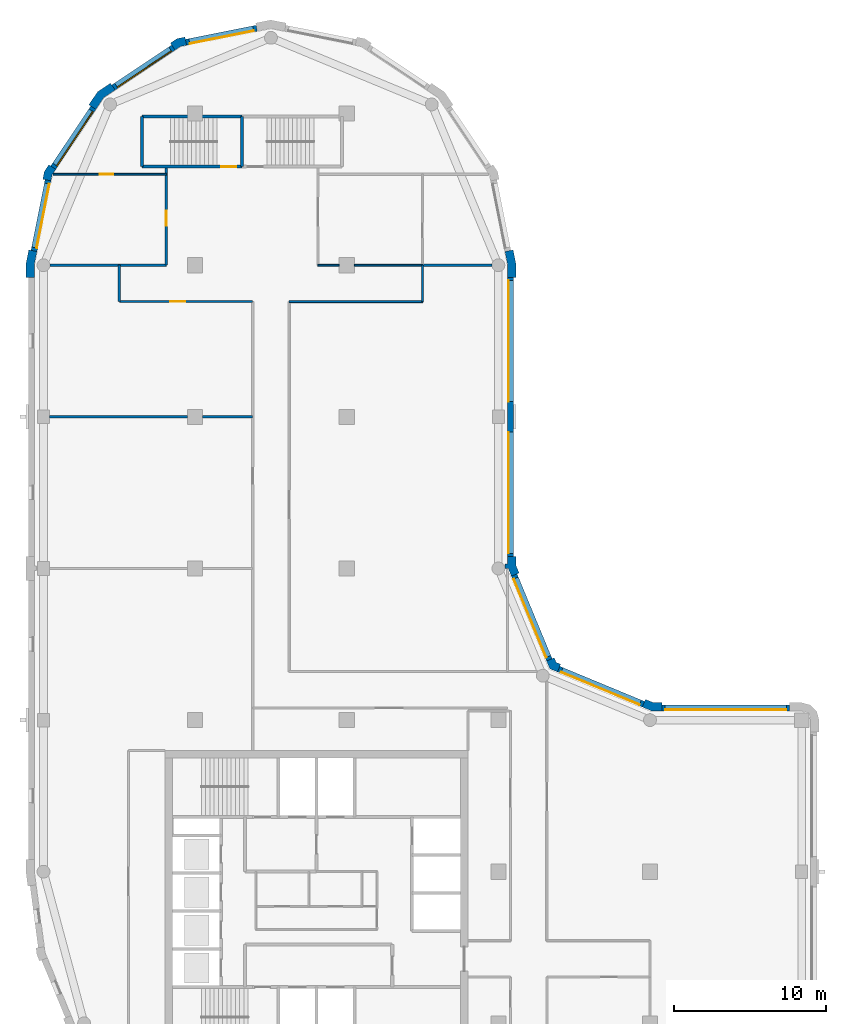
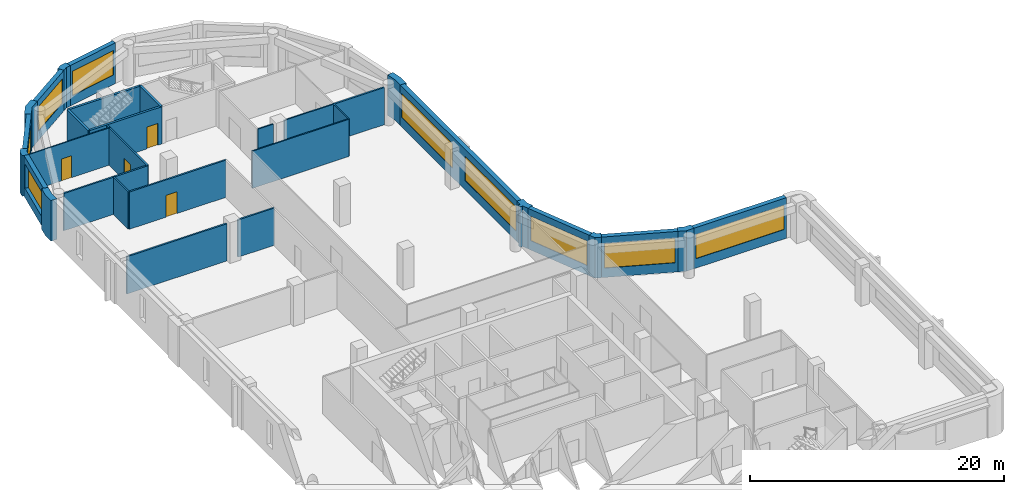
# One storey, part 5 of 9: 32 walls, 9 windows, 4 doors, 13 openings.
"""IFC4 building model written with IfcOpenShell, lengths in metres."""

from ifc_helpers import new_model, si_unit, direction, frame, frame_2d, origin, place, context, subcontext, project, spatial, polyline, rectangle, outline, extrude, material, layer, layer_set, type_object, element, fill, save


model = new_model("IFC4")

# Units and contexts
model_context = context("Model", 3, precision=1e-05, world=origin(), true_north=direction((0.0, 1.0)))
body_context = subcontext(model_context, "Body", "Model", "MODEL_VIEW")
ifc_project = project(units=[si_unit("LENGTHUNIT", "METRE"), si_unit("AREAUNIT", "SQUARE_METRE"), si_unit("VOLUMEUNIT", "CUBIC_METRE"), si_unit("PLANEANGLEUNIT", "RADIAN"), si_unit("MASSUNIT", "GRAM", prefix="KILO")], contexts=[model_context])

# Site, building, storey
site_placement = place(None, origin())
site = spatial("IfcSite", under=ifc_project, at=site_placement, CompositionType="ELEMENT")
building_placement = place(site_placement, origin())
building = spatial("IfcBuilding", under=site, at=building_placement, Name="Qaws Garden Tower", CompositionType="ELEMENT")
storey_placement = place(building_placement, frame((0.0, 0.0, 251.39990234375)))
storey = spatial("IfcBuildingStorey", under=building, at=storey_placement, Name="L60", CompositionType="ELEMENT", Elevation=251.39990234375)

# Wall, opening, window
ifc_material_1 = material(Name="Clay facing brick masonry", Category="masonry")
ifc_layer_1 = layer(ifc_material_1, 0.39990234375)
ifc_layer_set_1 = layer_set([ifc_layer_1], Name="Clay facing brick masonry")
wall_type_1 = type_object("IfcWallType", Name="Brick infill wall 400", PredefinedType="SOLIDWALL", material=ifc_layer_set_1)
wall_1_placement = place(storey_placement, frame((49.199951171875, 30.800048828125, 0.0), z_axis=(0.0, 0.0, 1.0), x_axis=(-1.0, 0.0, 0.0)))
wall_1 = element("IfcWall", 1, at=wall_1_placement, inside=storey, type_object=wall_type_1, Name="E-L60-infill-06", PredefinedType="SOLIDWALL", context=body_context, shape_type="SweptSolid", body=[
    extrude(rectangle(XDim=8.39990234375, YDim=0.39990234375, at=frame_2d((4.199951171875, 0.0))), origin(), (0.0, 0.0, 1.0), 3.900146484375),
])
opening_1_placement = place(wall_1_placement, frame((0.199951171875, 0.0, 0.89990234375)))
opening_1 = element("IfcOpeningElement", 2, at=opening_1_placement, cuts=wall_1, Name="Opening W01", PredefinedType="OPENING", context=body_context, shape_type="SweptSolid", body=[
    extrude(rectangle(XDim=8.0, YDim=2.35009765625, at=frame_2d((4.0, 1.175048828125))), frame((0.0, 0.2099609375, 0.0), z_axis=(0.0, -1.0, 0.0), x_axis=(1.0, 0.0, 0.0)), (0.0, 0.0, 1.0), 0.419921875),
])
ifc_material_2 = material(Name="Aluminium framed window, clear glazing", Category="aluminium")
window_type_1 = type_object("IfcWindowType", Name="Ribbon window 8000 x 2350", PartitioningType="DOUBLE_PANEL_VERTICAL", PredefinedType="WINDOW", material=ifc_material_2)
window_1_placement = place(opening_1_placement, origin())
window_1 = element("IfcWindow", 3, at=window_1_placement, inside=storey, type_object=window_type_1, Name="E-L60-window-06-0", OverallHeight=2.35009765625, OverallWidth=8.0, PartitioningType="SINGLE_PANEL", PredefinedType="WINDOW", context=body_context, shape_type="SweptSolid", body=[
    extrude(rectangle(XDim=8.0, YDim=2.35009765625, at=frame_2d((4.0, 1.175048828125))), frame((0.0, 0.159912109375, 0.0), z_axis=(0.0, -1.0, 0.0), x_axis=(1.0, 0.0, 0.0)), (0.0, 0.0, 1.0), 0.06005859375),
])
fill(opening_1, window_1)

wall_2_placement = place(storey_placement, frame((39.56689453125, 31.04541015625, 0.0), z_axis=(0.0, 0.0, 1.0), x_axis=(-0.923891000409, 0.382655745237, 0.0)))
wall_2 = element("IfcWall", 4, at=wall_2_placement, inside=storey, type_object=wall_type_1, Name="E-L60-infill-07", PredefinedType="SOLIDWALL", context=body_context, shape_type="SweptSolid", body=[
    extrude(rectangle(XDim=6.053466796875, YDim=0.39990234375, at=frame_2d((3.02685546875, 0.0))), origin(), (0.0, 0.0, 1.0), 3.900146484375),
])
opening_2_placement = place(wall_2_placement, frame((0.226806640625, 0.0, 0.89990234375)))
opening_2 = element("IfcOpeningElement", 5, at=opening_2_placement, cuts=wall_2, Name="Opening W04", PredefinedType="OPENING", context=body_context, shape_type="SweptSolid", body=[
    extrude(rectangle(XDim=5.60009765625, YDim=2.35009765625, at=frame_2d((2.800048828125, 1.175048828125))), frame((0.0, 0.2099609375, 0.0), z_axis=(0.0, -1.0, 0.0), x_axis=(1.0, 0.0, 0.0)), (0.0, 0.0, 1.0), 0.419921875),
])
ifc_material_3 = material(Name="Aluminium framed window, clear glazing", Category="aluminium")
window_type_2 = type_object("IfcWindowType", Name="Ribbon window 5600 x 2350", PartitioningType="DOUBLE_PANEL_VERTICAL", PredefinedType="WINDOW", material=ifc_material_3)
window_2_placement = place(opening_2_placement, origin())
window_2 = element("IfcWindow", 6, at=window_2_placement, inside=storey, type_object=window_type_2, Name="E-L60-window-07-0", OverallHeight=2.35009765625, OverallWidth=5.60009765625, PartitioningType="SINGLE_PANEL", PredefinedType="WINDOW", context=body_context, shape_type="SweptSolid", body=[
    extrude(rectangle(XDim=5.60009765625, YDim=2.35009765625, at=frame_2d((2.800048828125, 1.175048828125))), frame((0.0, 0.159912109375, 0.0), z_axis=(0.0, -1.0, 0.0), x_axis=(1.0, 0.0, 0.0)), (0.0, 0.0, 1.0), 0.06005859375),
])
fill(opening_2, window_2)

wall_3_placement = place(storey_placement, frame((33.36181640625, 33.97412109375, 0.0), z_axis=(0.0, 0.0, 1.0), x_axis=(-0.382655745237, 0.923891000409, 0.0)))
wall_3 = element("IfcWall", 7, at=wall_3_placement, inside=storey, type_object=wall_type_1, Name="E-L60-infill-08", PredefinedType="SOLIDWALL", context=body_context, shape_type="SweptSolid", body=[
    extrude(rectangle(XDim=6.053466796875, YDim=0.39990234375, at=frame_2d((3.02685546875, 0.0))), origin(), (0.0, 0.0, 1.0), 3.900146484375),
])
opening_3_placement = place(wall_3_placement, frame((0.226806640625, 0.0, 0.89990234375)))
opening_3 = element("IfcOpeningElement", 8, at=opening_3_placement, cuts=wall_3, Name="Opening W04", PredefinedType="OPENING", context=body_context, shape_type="SweptSolid", body=[
    extrude(rectangle(XDim=5.60009765625, YDim=2.35009765625, at=frame_2d((2.800048828125, 1.175048828125))), frame((0.0, 0.2099609375, 0.0), z_axis=(0.0, -1.0, 0.0), x_axis=(1.0, 0.0, 0.0)), (0.0, 0.0, 1.0), 0.419921875),
])
window_3_placement = place(opening_3_placement, origin())
window_3 = element("IfcWindow", 9, at=window_3_placement, inside=storey, type_object=window_type_2, Name="E-L60-window-08-0", OverallHeight=2.35009765625, OverallWidth=5.60009765625, PartitioningType="SINGLE_PANEL", PredefinedType="WINDOW", context=body_context, shape_type="SweptSolid", body=[
    extrude(rectangle(XDim=5.60009765625, YDim=2.35009765625, at=frame_2d((2.800048828125, 1.175048828125))), frame((0.0, 0.159912109375, 0.0), z_axis=(0.0, -1.0, 0.0), x_axis=(1.0, 0.0, 0.0)), (0.0, 0.0, 1.0), 0.06005859375),
])
fill(opening_3, window_3)

# Wall, openings, windows
wall_4_placement = place(storey_placement, frame((30.800048828125, 40.800048828125, 0.0), z_axis=(0.0, 0.0, 1.0), x_axis=(0.0, 1.0, 0.0)))
wall_4 = element("IfcWall", 10, at=wall_4_placement, inside=storey, type_object=wall_type_1, Name="E-L60-infill-09", PredefinedType="SOLIDWALL", context=body_context, shape_type="SweptSolid", body=[
    extrude(rectangle(XDim=18.39990234375, YDim=0.39990234375, at=frame_2d((9.199951171875, 0.0))), origin(), (0.0, 0.0, 1.0), 3.900146484375),
])
opening_4_placement = place(wall_4_placement, frame((0.199951171875, 0.0, 0.89990234375)))
opening_4 = element("IfcOpeningElement", 11, at=opening_4_placement, cuts=wall_4, Name="Opening W01", PredefinedType="OPENING", context=body_context, shape_type="SweptSolid", body=[
    extrude(rectangle(XDim=8.0, YDim=2.35009765625, at=frame_2d((4.0, 1.175048828125))), frame((0.0, 0.2099609375, 0.0), z_axis=(0.0, -1.0, 0.0), x_axis=(1.0, 0.0, 0.0)), (0.0, 0.0, 1.0), 0.419921875),
])
opening_5_placement = place(wall_4_placement, frame((10.199951171875, 0.0, 0.89990234375)))
opening_5 = element("IfcOpeningElement", 12, at=opening_5_placement, cuts=wall_4, Name="Opening W01", PredefinedType="OPENING", context=body_context, shape_type="SweptSolid", body=[
    extrude(rectangle(XDim=8.0, YDim=2.35009765625, at=frame_2d((4.0, 1.175048828125))), frame((0.0, 0.2099609375, 0.0), z_axis=(0.0, -1.0, 0.0), x_axis=(1.0, 0.0, 0.0)), (0.0, 0.0, 1.0), 0.419921875),
])
window_4_placement = place(opening_4_placement, origin())
window_4 = element("IfcWindow", 13, at=window_4_placement, inside=storey, type_object=window_type_1, Name="E-L60-window-09-0", OverallHeight=2.35009765625, OverallWidth=8.0, PartitioningType="SINGLE_PANEL", PredefinedType="WINDOW", context=body_context, shape_type="SweptSolid", body=[
    extrude(rectangle(XDim=8.0, YDim=2.35009765625, at=frame_2d((4.0, 1.175048828125))), frame((0.0, 0.159912109375, 0.0), z_axis=(0.0, -1.0, 0.0), x_axis=(1.0, 0.0, 0.0)), (0.0, 0.0, 1.0), 0.06005859375),
])
fill(opening_4, window_4)
window_5_placement = place(opening_5_placement, origin())
window_5 = element("IfcWindow", 14, at=window_5_placement, inside=storey, type_object=window_type_1, Name="E-L60-window-10-0", OverallHeight=2.35009765625, OverallWidth=8.0, PartitioningType="SINGLE_PANEL", PredefinedType="WINDOW", context=body_context, shape_type="SweptSolid", body=[
    extrude(rectangle(XDim=8.0, YDim=2.35009765625, at=frame_2d((4.0, 1.175048828125))), frame((0.0, 0.159912109375, 0.0), z_axis=(0.0, -1.0, 0.0), x_axis=(1.0, 0.0, 0.0)), (0.0, 0.0, 1.0), 0.06005859375),
])
fill(opening_5, window_5)

# Wall, opening, window
wall_5_placement = place(storey_placement, frame((14.059326171875, 75.628662109375, 0.0), z_axis=(0.0, 0.0, 1.0), x_axis=(-0.98078364709, -0.195098533057, 0.0)))
wall_5 = element("IfcWall", 15, at=wall_5_placement, inside=storey, type_object=wall_type_1, Name="E-L60-infill-15", PredefinedType="SOLIDWALL", context=body_context, shape_type="SweptSolid", body=[
    extrude(rectangle(XDim=4.752685546875, YDim=0.39990234375, at=frame_2d((2.37646484375, 0.0))), origin(), (0.0, 0.0, 1.0), 3.900146484375),
])
opening_6_placement = place(wall_5_placement, frame((0.226318359375, 0.0, 0.89990234375)))
opening_6 = element("IfcOpeningElement", 16, at=opening_6_placement, cuts=wall_5, Name="Opening W06", PredefinedType="OPENING", context=body_context, shape_type="SweptSolid", body=[
    extrude(rectangle(XDim=4.300048828125, YDim=2.35009765625, at=frame_2d((2.14990234375, 1.175048828125))), frame((0.0, 0.2099609375, 0.0), z_axis=(0.0, -1.0, 0.0), x_axis=(1.0, 0.0, 0.0)), (0.0, 0.0, 1.0), 0.419921875),
])
ifc_material_4 = material(Name="Aluminium framed window, clear glazing", Category="aluminium")
window_type_3 = type_object("IfcWindowType", Name="Ribbon window 4300 x 2350", PartitioningType="DOUBLE_PANEL_VERTICAL", PredefinedType="WINDOW", material=ifc_material_4)
window_6_placement = place(opening_6_placement, origin())
window_6 = element("IfcWindow", 17, at=window_6_placement, inside=storey, type_object=window_type_3, Name="E-L60-window-15-0", OverallHeight=2.35009765625, OverallWidth=4.300048828125, PartitioningType="SINGLE_PANEL", PredefinedType="WINDOW", context=body_context, shape_type="SweptSolid", body=[
    extrude(rectangle(XDim=4.300048828125, YDim=2.35009765625, at=frame_2d((2.14990234375, 1.175048828125))), frame((0.0, 0.159912109375, 0.0), z_axis=(0.0, -1.0, 0.0), x_axis=(1.0, 0.0, 0.0)), (0.0, 0.0, 1.0), 0.06005859375),
])
fill(opening_6, window_6)

wall_6_placement = place(storey_placement, frame((8.56591796875, 74.356689453125, 0.0), z_axis=(0.0, 0.0, 1.0), x_axis=(-0.831488775454, -0.555541552266, 0.0)))
wall_6 = element("IfcWall", 18, at=wall_6_placement, inside=storey, type_object=wall_type_1, Name="E-L60-infill-16", PredefinedType="SOLIDWALL", context=body_context, shape_type="SweptSolid", body=[
    extrude(rectangle(XDim=4.752685546875, YDim=0.39990234375, at=frame_2d((2.37646484375, 0.0))), origin(), (0.0, 0.0, 1.0), 3.900146484375),
])
opening_7_placement = place(wall_6_placement, frame((0.226318359375, 0.0, 0.89990234375)))
opening_7 = element("IfcOpeningElement", 19, at=opening_7_placement, cuts=wall_6, Name="Opening W06", PredefinedType="OPENING", context=body_context, shape_type="SweptSolid", body=[
    extrude(rectangle(XDim=4.300048828125, YDim=2.35009765625, at=frame_2d((2.14990234375, 1.175048828125))), frame((0.0, 0.2099609375, 0.0), z_axis=(0.0, -1.0, 0.0), x_axis=(1.0, 0.0, 0.0)), (0.0, 0.0, 1.0), 0.419921875),
])
window_7_placement = place(opening_7_placement, origin())
window_7 = element("IfcWindow", 20, at=window_7_placement, inside=storey, type_object=window_type_3, Name="E-L60-window-16-0", OverallHeight=2.35009765625, OverallWidth=4.300048828125, PartitioningType="SINGLE_PANEL", PredefinedType="WINDOW", context=body_context, shape_type="SweptSolid", body=[
    extrude(rectangle(XDim=4.300048828125, YDim=2.35009765625, at=frame_2d((2.14990234375, 1.175048828125))), frame((0.0, 0.159912109375, 0.0), z_axis=(0.0, -1.0, 0.0), x_axis=(1.0, 0.0, 0.0)), (0.0, 0.0, 1.0), 0.06005859375),
])
fill(opening_7, window_7)

wall_7_placement = place(storey_placement, frame((3.28369140625, 70.385986328125, 0.0), z_axis=(0.0, 0.0, 1.0), x_axis=(-0.555541552266, -0.831488775454, 0.0)))
wall_7 = element("IfcWall", 21, at=wall_7_placement, inside=storey, type_object=wall_type_1, Name="E-L60-infill-17", PredefinedType="SOLIDWALL", context=body_context, shape_type="SweptSolid", body=[
    extrude(rectangle(XDim=4.752685546875, YDim=0.39990234375, at=frame_2d((2.37646484375, 0.0))), origin(), (0.0, 0.0, 1.0), 3.900146484375),
])
opening_8_placement = place(wall_7_placement, frame((0.226318359375, 0.0, 0.89990234375)))
opening_8 = element("IfcOpeningElement", 22, at=opening_8_placement, cuts=wall_7, Name="Opening W06", PredefinedType="OPENING", context=body_context, shape_type="SweptSolid", body=[
    extrude(rectangle(XDim=4.300048828125, YDim=2.35009765625, at=frame_2d((2.14990234375, 1.175048828125))), frame((0.0, 0.2099609375, 0.0), z_axis=(0.0, -1.0, 0.0), x_axis=(1.0, 0.0, 0.0)), (0.0, 0.0, 1.0), 0.419921875),
])
window_8_placement = place(opening_8_placement, origin())
window_8 = element("IfcWindow", 23, at=window_8_placement, inside=storey, type_object=window_type_3, Name="E-L60-window-17-0", OverallHeight=2.35009765625, OverallWidth=4.300048828125, PartitioningType="SINGLE_PANEL", PredefinedType="WINDOW", context=body_context, shape_type="SweptSolid", body=[
    extrude(rectangle(XDim=4.300048828125, YDim=2.35009765625, at=frame_2d((2.14990234375, 1.175048828125))), frame((0.0, 0.159912109375, 0.0), z_axis=(0.0, -1.0, 0.0), x_axis=(1.0, 0.0, 0.0)), (0.0, 0.0, 1.0), 0.06005859375),
])
fill(opening_8, window_8)

wall_8_placement = place(storey_placement, frame((0.298583984375, 65.60205078125, 0.0), z_axis=(0.0, 0.0, 1.0), x_axis=(-0.195098533057, -0.98078364709, 0.0)))
wall_8 = element("IfcWall", 24, at=wall_8_placement, inside=storey, type_object=wall_type_1, Name="E-L60-infill-18", PredefinedType="SOLIDWALL", context=body_context, shape_type="SweptSolid", body=[
    extrude(rectangle(XDim=4.752685546875, YDim=0.39990234375, at=frame_2d((2.37646484375, 0.0))), origin(), (0.0, 0.0, 1.0), 3.900146484375),
])
opening_9_placement = place(wall_8_placement, frame((0.226318359375, 0.0, 0.89990234375)))
opening_9 = element("IfcOpeningElement", 25, at=opening_9_placement, cuts=wall_8, Name="Opening W06", PredefinedType="OPENING", context=body_context, shape_type="SweptSolid", body=[
    extrude(rectangle(XDim=4.300048828125, YDim=2.35009765625, at=frame_2d((2.14990234375, 1.175048828125))), frame((0.0, 0.2099609375, 0.0), z_axis=(0.0, -1.0, 0.0), x_axis=(1.0, 0.0, 0.0)), (0.0, 0.0, 1.0), 0.419921875),
])
window_9_placement = place(opening_9_placement, origin())
window_9 = element("IfcWindow", 26, at=window_9_placement, inside=storey, type_object=window_type_3, Name="E-L60-window-18-0", OverallHeight=2.35009765625, OverallWidth=4.300048828125, PartitioningType="SINGLE_PANEL", PredefinedType="WINDOW", context=body_context, shape_type="SweptSolid", body=[
    extrude(rectangle(XDim=4.300048828125, YDim=2.35009765625, at=frame_2d((2.14990234375, 1.175048828125))), frame((0.0, 0.159912109375, 0.0), z_axis=(0.0, -1.0, 0.0), x_axis=(1.0, 0.0, 0.0)), (0.0, 0.0, 1.0), 0.06005859375),
])
fill(opening_9, window_9)

# Walls
ifc_material_5 = material(Name="Clay facing brick masonry", Category="masonry")
ifc_layer_2 = layer(ifc_material_5, 0.550048828125)
ifc_layer_set_2 = layer_set([ifc_layer_2], Name="Clay facing brick masonry")
wall_type_2 = type_object("IfcWallType", Name="Brick kink pier 550 x 600", PredefinedType="SOLIDWALL", material=ifc_layer_set_2)
placement = place(storey_placement, origin())
element("IfcWall", 27, at=placement, inside=storey, type_object=wall_type_2, Name="E-L60-pier-16", PredefinedType="SOLIDWALL", context=body_context, shape_type="SweptSolid", body=[
    extrude(outline(polyline([(9.35888671875, 74.8974609375), (9.32958984375, 75.044677734375), (8.81103515625, 74.94140625), (8.371337890625, 74.647705078125), (8.454833984375, 74.52294921875), (8.677001953125, 74.1904296875), (9.025634765625, 74.42333984375), (9.43701171875, 74.505126953125), (9.35888671875, 74.8974609375)])), origin(), (0.0, 0.0, 1.0), 3.900146484375),
])
element("IfcWall", 28, at=placement, inside=storey, type_object=wall_type_2, Name="E-L60-pier-18", PredefinedType="SOLIDWALL", context=body_context, shape_type="SweptSolid", body=[
    extrude(outline(polyline([(0.47705078125, 66.545166015625), (0.352294921875, 66.628662109375), (0.05859375, 66.18896484375), (-0.044677734375, 65.67041015625), (0.1025390625, 65.64111328125), (0.494873046875, 65.56298828125), (0.57666015625, 65.974365234375), (0.8095703125, 66.322998046875), (0.47705078125, 66.545166015625)])), origin(), (0.0, 0.0, 1.0), 3.900146484375),
])
ifc_material_6 = material(Name="Clay facing brick masonry", Category="masonry")
ifc_layer_3 = layer(ifc_material_6, 0.550048828125)
ifc_layer_set_3 = layer_set([ifc_layer_3], Name="Clay facing brick masonry")
wall_type_3 = type_object("IfcWallType", Name="Brick pier 550 x 1600", PredefinedType="SOLIDWALL", material=ifc_layer_set_3)
element("IfcWall", 29, at=placement, inside=storey, type_object=wall_type_3, Name="E-L60-pier-07", PredefinedType="SOLIDWALL", context=body_context, shape_type="SweptSolid", body=[
    extrude(outline(polyline([(40.800048828125, 31.0), (40.800048828125, 31.14990234375), (40.228759765625, 31.14990234375), (39.700927734375, 31.36865234375), (39.6435546875, 31.22998046875), (39.490478515625, 30.860595703125), (40.119384765625, 30.60009765625), (40.800048828125, 30.60009765625), (40.800048828125, 31.0)])), origin(), (0.0, 0.0, 1.0), 3.900146484375),
])
element("IfcWall", 30, at=placement, inside=storey, type_object=wall_type_3, Name="E-L60-pier-08", PredefinedType="SOLIDWALL", context=body_context, shape_type="SweptSolid", body=[
    extrude(outline(polyline([(34.05078125, 33.546630859375), (34.108154296875, 33.685302734375), (33.80908203125, 33.80908203125), (33.685302734375, 34.108154296875), (33.546630859375, 34.05078125), (33.177001953125, 33.897705078125), (33.38818359375, 33.38818359375), (33.897705078125, 33.177001953125), (34.05078125, 33.546630859375)])), origin(), (0.0, 0.0, 1.0), 3.900146484375),
])
element("IfcWall", 31, at=placement, inside=storey, type_object=wall_type_3, Name="E-L60-pier-09", PredefinedType="SOLIDWALL", context=body_context, shape_type="SweptSolid", body=[
    extrude(outline(polyline([(30.6201171875, 39.995361328125), (30.6201171875, 40.071044921875), (30.860595703125, 39.490478515625), (31.22998046875, 39.6435546875), (31.36865234375, 39.700927734375), (31.14990234375, 40.228759765625), (31.14990234375, 40.800048828125), (31.0, 40.800048828125), (30.60009765625, 40.800048828125), (30.60009765625, 40.29541015625), (30.425048828125, 40.29541015625), (30.425048828125, 39.995361328125), (30.6201171875, 39.995361328125)])), origin(), (0.0, 0.0, 1.0), 3.900146484375),
])
element("IfcWall", 32, at=placement, inside=storey, type_object=wall_type_3, Name="E-L60-pier-11", PredefinedType="SOLIDWALL", context=body_context, shape_type="SweptSolid", body=[
    extrude(outline(polyline([(31.0, 59.199951171875), (31.14990234375, 59.199951171875), (31.14990234375, 60.11328125), (30.971923828125, 61.009033203125), (30.82470703125, 60.979736328125), (30.432373046875, 60.901611328125), (30.60009765625, 60.05908203125), (30.60009765625, 59.199951171875), (31.0, 59.199951171875)])), origin(), (0.0, 0.0, 1.0), 3.900146484375),
])
element("IfcWall", 33, at=placement, inside=storey, type_object=wall_type_3, Name="E-L60-pier-17", PredefinedType="SOLIDWALL", context=body_context, shape_type="SweptSolid", body=[
    extrude(outline(polyline([(4.5029296875, 71.882568359375), (4.419677734375, 72.00732421875), (3.564208984375, 71.435791015625), (2.99267578125, 70.580322265625), (3.117431640625, 70.4970703125), (3.449951171875, 70.274658203125), (3.9609375, 71.0390625), (4.725341796875, 71.550048828125), (4.5029296875, 71.882568359375)])), origin(), (0.0, 0.0, 1.0), 3.900146484375),
])
element("IfcWall", 34, at=placement, inside=storey, type_object=wall_type_3, Name="E-L60-pier-19", PredefinedType="SOLIDWALL", context=body_context, shape_type="SweptSolid", body=[
    extrude(outline(polyline([(-0.82470703125, 60.979736328125), (-0.971923828125, 61.009033203125), (-1.14990234375, 60.11328125), (-1.14990234375, 59.199951171875), (-1.0, 59.199951171875), (-0.60009765625, 59.199951171875), (-0.60009765625, 60.05908203125), (-0.432373046875, 60.901611328125), (-0.82470703125, 60.979736328125)])), origin(), (0.0, 0.0, 1.0), 3.900146484375),
])

# Wall, opening, door
ifc_material_7 = material(Name="Concrete C60", Category="concrete")
ifc_layer_4 = layer(ifc_material_7, 0.199951171875)
ifc_layer_set_4 = layer_set([ifc_layer_4], Name="Concrete C60")
wall_type_4 = type_object("IfcWallType", Name="Core shaft wall 200 C60", PredefinedType="SHEAR", material=ifc_layer_set_4)
wall_17_placement = place(storey_placement, frame((6.5, 66.5, 0.0), z_axis=(0.0, 0.0, 1.0), x_axis=(1.0, 0.0, 0.0)))
wall_17 = element("IfcWall", 35, at=wall_17_placement, inside=storey, type_object=wall_type_4, Name="Shaft wall", PredefinedType="SHEAR", context=body_context, shape_type="SweptSolid", body=[
    extrude(rectangle(XDim=6.60009765625, YDim=0.199951171875, at=frame_2d((3.300048828125, 0.0))), origin(), (0.0, 0.0, 1.0), 3.580078125),
])
opening_10_placement = place(wall_17_placement, frame((5.22509765625, 0.0, 0.0)))
opening_10 = element("IfcOpeningElement", 36, at=opening_10_placement, cuts=wall_17, Name="Opening SD13", PredefinedType="OPENING", context=body_context, shape_type="SweptSolid", body=[
    extrude(rectangle(XDim=1.0, YDim=2.10009765625, at=frame_2d((0.5, 1.050048828125))), frame((0.0, 0.10986328125, 0.0), z_axis=(0.0, -1.0, 0.0), x_axis=(1.0, 0.0, 0.0)), (0.0, 0.0, 1.0), 0.219970703125),
])
ifc_material_8 = material(Name="Steel S235", Category="steel")
door_type_1 = type_object("IfcDoorType", Name="Stair door 1000x2100", OperationType="SINGLE_SWING_RIGHT", PredefinedType="DOOR", material=ifc_material_8)
door_1_placement = place(opening_10_placement, origin())
door_1 = element("IfcDoor", 37, at=door_1_placement, inside=storey, type_object=door_type_1, Name="Stair 6 door", OperationType="SINGLE_SWING_RIGHT", OverallHeight=2.10009765625, OverallWidth=1.0, PredefinedType="DOOR", context=body_context, shape_type="SweptSolid", body=[
    extrude(rectangle(XDim=1.0, YDim=2.10009765625, at=frame_2d((0.5, 1.050048828125))), frame((0.0, 0.02490234375, 0.0), z_axis=(0.0, -1.0, 0.0), x_axis=(1.0, 0.0, 0.0)), (0.0, 0.0, 1.0), 0.050048828125),
])
fill(opening_10, door_1)

# Walls
wall_18_placement = place(storey_placement, frame((6.5, 69.800048828125, 0.0), z_axis=(0.0, 0.0, 1.0), x_axis=(1.0, 0.0, 0.0)))
element("IfcWall", 38, at=wall_18_placement, inside=storey, type_object=wall_type_4, Name="Shaft wall", PredefinedType="SHEAR", context=body_context, shape_type="SweptSolid", body=[
    extrude(rectangle(XDim=6.60009765625, YDim=0.199951171875, at=frame_2d((3.300048828125, 0.0))), origin(), (0.0, 0.0, 1.0), 3.580078125),
])
for number, where, z_axis, x_axis, name in (
    (39, (6.5, 66.5, 0.0), (0.0, 0.0, 1.0), (0.0, 1.0, 0.0), "Shaft wall"),
    (40, (13.10009765625, 66.5, 0.0), (0.0, 0.0, 1.0), (0.0, 1.0, 0.0), "Shaft wall"),
):
    element("IfcWall", number, at=place(storey_placement, frame(where, z_axis=z_axis, x_axis=x_axis)), inside=storey, type_object=wall_type_4, Name=name, PredefinedType="SHEAR", context=body_context, shape_type="SweptSolid", body=[
        extrude(rectangle(XDim=3.300048828125, YDim=0.199951171875, at=frame_2d((1.64990234375, 0.0))), origin(), (0.0, 0.0, 1.0), 3.580078125),
    ])
ifc_material_9 = material(Name="Glass and aluminium framing", Category="aluminium")
ifc_layer_5 = layer(ifc_material_9, 0.1201171875)
ifc_layer_set_5 = layer_set([ifc_layer_5], Name="Glass and aluminium framing")
wall_type_5 = type_object("IfcWallType", Name="GLAZED PARTITION 120 EI 30", PredefinedType="PARTITIONING", material=ifc_layer_set_5)
wall_19_placement = place(storey_placement, frame((25.0, 57.60009765625, 0.0), z_axis=(0.0, 0.0, 1.0), x_axis=(0.0, 1.0, 0.0)))
element("IfcWall", 41, at=wall_19_placement, inside=storey, type_object=wall_type_5, Name="O-L60-wall-038", PredefinedType="PARTITIONING", context=body_context, shape_type="SweptSolid", body=[
    extrude(rectangle(XDim=2.39990234375, YDim=0.1201171875, at=frame_2d((1.199951171875, 0.0))), origin(), (0.0, 0.0, 1.0), 3.580078125),
])
wall_20_placement = place(storey_placement, frame((16.199951171875, 57.60009765625, 0.0), z_axis=(0.0, 0.0, 1.0), x_axis=(1.0, 0.0, 0.0)))
element("IfcWall", 42, at=wall_20_placement, inside=storey, type_object=wall_type_5, Name="O-L60-wall-046", PredefinedType="PARTITIONING", context=body_context, shape_type="SweptSolid", body=[
    extrude(rectangle(XDim=8.800048828125, YDim=0.1201171875, at=frame_2d((4.39990234375, 0.0))), origin(), (0.0, 0.0, 1.0), 3.580078125),
])
wall_21_placement = place(storey_placement, frame((18.10009765625, 60.0, 0.0), z_axis=(0.0, 0.0, 1.0), x_axis=(1.0, 0.0, 0.0)))
element("IfcWall", 43, at=wall_21_placement, inside=storey, type_object=wall_type_5, Name="O-L60-wall-047", PredefinedType="PARTITIONING", context=body_context, shape_type="SweptSolid", body=[
    extrude(rectangle(XDim=1.39990234375, YDim=0.1201171875, at=frame_2d((0.699951171875, 0.0))), origin(), (0.0, 0.0, 1.0), 3.580078125),
])
wall_22_placement = place(storey_placement, frame((20.5, 60.0, 0.0), z_axis=(0.0, 0.0, 1.0), x_axis=(1.0, 0.0, 0.0)))
element("IfcWall", 44, at=wall_22_placement, inside=storey, type_object=wall_type_5, Name="O-L60-wall-048", PredefinedType="PARTITIONING", context=body_context, shape_type="SweptSolid", body=[
    extrude(rectangle(XDim=4.5, YDim=0.1201171875, at=frame_2d((2.25, 0.0))), origin(), (0.0, 0.0, 1.0), 3.580078125),
])

# Wall, opening, door
ifc_material_10 = material(Name="Gypsum board partition")
ifc_layer_6 = layer(ifc_material_10, 0.10009765625)
ifc_layer_set_6 = layer_set([ifc_layer_6], Name="Gypsum board partition")
wall_type_6 = type_object("IfcWallType", Name="PARTITION 100", PredefinedType="PARTITIONING", material=ifc_layer_set_6)
wall_23_placement = place(storey_placement, frame((0.627197265625, 66.0, 0.0), z_axis=(0.0, 0.0, 1.0), x_axis=(1.0, 0.0, 0.0)))
wall_23 = element("IfcWall", 45, at=wall_23_placement, inside=storey, type_object=wall_type_6, Name="O-L60-wall-002", PredefinedType="PARTITIONING", context=body_context, shape_type="SweptSolid", body=[
    extrude(rectangle(XDim=7.472900390625, YDim=0.10009765625, at=frame_2d((3.736328125, 0.0))), origin(), (0.0, 0.0, 1.0), 3.580078125),
])
opening_11_placement = place(wall_23_placement, frame((3.080810546875, 0.0, 0.0)))
opening_11 = element("IfcOpeningElement", 46, at=opening_11_placement, cuts=wall_23, Name="Opening C117", PredefinedType="OPENING", context=body_context, shape_type="SweptSolid", body=[
    extrude(rectangle(XDim=0.89990234375, YDim=2.10009765625, at=frame_2d((0.449951171875, 1.050048828125))), frame((0.0, 0.06005859375, 0.0), z_axis=(0.0, -1.0, 0.0), x_axis=(1.0, 0.0, 0.0)), (0.0, 0.0, 1.0), 0.1201171875),
])
ifc_material_11 = material(Name="Timber door leaf", Category="wood")
door_type_2 = type_object("IfcDoorType", Name="OFFICE DOOR 900 X 2100", OperationType="SINGLE_SWING_LEFT", PredefinedType="DOOR", material=ifc_material_11)
door_2_placement = place(opening_11_placement, frame((0.89990234375, 0.0, 0.0), z_axis=(0.0, 0.0, 1.0), x_axis=(-1.0, 0.0, 0.0)))
door_2 = element("IfcDoor", 47, at=door_2_placement, inside=storey, type_object=door_type_2, Name="O-L60-door-017", OperationType="SINGLE_SWING_LEFT", OverallHeight=2.10009765625, OverallWidth=0.89990234375, PredefinedType="DOOR", context=body_context, shape_type="SweptSolid", body=[
    extrude(rectangle(XDim=0.89990234375, YDim=2.10009765625, at=frame_2d((0.449951171875, 1.050048828125))), frame((0.0, 0.02490234375, 0.0), z_axis=(0.0, -1.0, 0.0), x_axis=(1.0, 0.0, 0.0)), (0.0, 0.0, 1.0), 0.050048828125),
])
fill(opening_11, door_2)

# Wall
ifc_material_12 = material(Name="Gypsum board partition")
ifc_layer_7 = layer(ifc_material_12, 0.14990234375)
ifc_layer_set_7 = layer_set([ifc_layer_7], Name="Gypsum board partition")
wall_type_7 = type_object("IfcWallType", Name="PARTITION 150 EI 60", PredefinedType="PARTITIONING", material=ifc_layer_set_7)
wall_24_placement = place(storey_placement, frame((5.0, 57.60009765625, 0.0), z_axis=(0.0, 0.0, 1.0), x_axis=(0.0, 1.0, 0.0)))
element("IfcWall", 48, at=wall_24_placement, inside=storey, type_object=wall_type_7, Name="O-L60-wall-003", PredefinedType="PARTITIONING", context=body_context, shape_type="SweptSolid", body=[
    extrude(rectangle(XDim=2.39990234375, YDim=0.14990234375, at=frame_2d((1.199951171875, 0.0))), origin(), (0.0, 0.0, 1.0), 3.580078125),
])

# Wall, opening, door
wall_25_placement = place(storey_placement, frame((8.10009765625, 60.0, 0.0), z_axis=(0.0, 0.0, 1.0), x_axis=(0.0, 1.0, 0.0)))
wall_25 = element("IfcWall", 49, at=wall_25_placement, inside=storey, type_object=wall_type_7, Name="O-L60-wall-005", PredefinedType="PARTITIONING", context=body_context, shape_type="SweptSolid", body=[
    extrude(rectangle(XDim=6.39990234375, YDim=0.14990234375, at=frame_2d((3.199951171875, 0.0))), origin(), (0.0, 0.0, 1.0), 3.580078125),
])
opening_12_placement = place(wall_25_placement, frame((2.60009765625, 0.0, 0.0)))
opening_12 = element("IfcOpeningElement", 50, at=opening_12_placement, cuts=wall_25, Name="Opening C105", PredefinedType="OPENING", context=body_context, shape_type="SweptSolid", body=[
    extrude(rectangle(XDim=1.0, YDim=2.10009765625, at=frame_2d((0.5, 1.050048828125))), frame((0.0, 0.0849609375, 0.0), z_axis=(0.0, -1.0, 0.0), x_axis=(1.0, 0.0, 0.0)), (0.0, 0.0, 1.0), 0.169921875),
])
ifc_material_13 = material(Name="Timber door leaf", Category="wood")
door_type_3 = type_object("IfcDoorType", Name="TENANCY ENTRANCE DOOR 1000 X 2100", OperationType="SINGLE_SWING_LEFT", PredefinedType="DOOR", material=ifc_material_13)
door_3_placement = place(opening_12_placement, origin())
door_3 = element("IfcDoor", 51, at=door_3_placement, inside=storey, type_object=door_type_3, Name="O-L60-door-005", OperationType="SINGLE_SWING_LEFT", OverallHeight=2.10009765625, OverallWidth=1.0, PredefinedType="DOOR", context=body_context, shape_type="SweptSolid", body=[
    extrude(rectangle(XDim=1.0, YDim=2.10009765625, at=frame_2d((0.5, 1.050048828125))), frame((0.0, 0.02490234375, 0.0), z_axis=(0.0, -1.0, 0.0), x_axis=(1.0, 0.0, 0.0)), (0.0, 0.0, 1.0), 0.050048828125),
])
fill(opening_12, door_3)

# Walls
wall_26_placement = place(storey_placement, frame((0.39990234375, 50.0, 0.0), z_axis=(0.0, 0.0, 1.0), x_axis=(1.0, 0.0, 0.0)))
element("IfcWall", 52, at=wall_26_placement, inside=storey, type_object=wall_type_7, Name="O-L60-wall-030", PredefinedType="PARTITIONING", context=body_context, shape_type="SweptSolid", body=[
    extrude(rectangle(XDim=9.10009765625, YDim=0.14990234375, at=frame_2d((4.550048828125, 0.0))), origin(), (0.0, 0.0, 1.0), 3.580078125),
])
wall_27_placement = place(storey_placement, frame((10.5, 50.0, 0.0), z_axis=(0.0, 0.0, 1.0), x_axis=(1.0, 0.0, 0.0)))
element("IfcWall", 53, at=wall_27_placement, inside=storey, type_object=wall_type_7, Name="O-L60-wall-031", PredefinedType="PARTITIONING", context=body_context, shape_type="SweptSolid", body=[
    extrude(rectangle(XDim=3.300048828125, YDim=0.14990234375, at=frame_2d((1.64990234375, 0.0))), origin(), (0.0, 0.0, 1.0), 3.580078125),
])

# Wall, opening, door
wall_28_placement = place(storey_placement, frame((5.0, 57.60009765625, 0.0), z_axis=(0.0, 0.0, 1.0), x_axis=(1.0, 0.0, 0.0)))
wall_28 = element("IfcWall", 54, at=wall_28_placement, inside=storey, type_object=wall_type_7, Name="O-L60-wall-032", PredefinedType="PARTITIONING", context=body_context, shape_type="SweptSolid", body=[
    extrude(rectangle(XDim=8.800048828125, YDim=0.14990234375, at=frame_2d((4.39990234375, 0.0))), origin(), (0.0, 0.0, 1.0), 3.580078125),
])
opening_13_placement = place(wall_28_placement, frame((3.35009765625, 0.0, 0.0)))
opening_13 = element("IfcOpeningElement", 55, at=opening_13_placement, cuts=wall_28, Name="Opening C103", PredefinedType="OPENING", context=body_context, shape_type="SweptSolid", body=[
    extrude(rectangle(XDim=1.0, YDim=2.10009765625, at=frame_2d((0.5, 1.050048828125))), frame((0.0, 0.0849609375, 0.0), z_axis=(0.0, -1.0, 0.0), x_axis=(1.0, 0.0, 0.0)), (0.0, 0.0, 1.0), 0.169921875),
])
door_4_placement = place(opening_13_placement, frame((1.0, 0.0, 0.0), z_axis=(0.0, 0.0, 1.0), x_axis=(-1.0, 0.0, 0.0)))
door_4 = element("IfcDoor", 56, at=door_4_placement, inside=storey, type_object=door_type_3, Name="O-L60-door-003", OperationType="SINGLE_SWING_LEFT", OverallHeight=2.10009765625, OverallWidth=1.0, PredefinedType="DOOR", context=body_context, shape_type="SweptSolid", body=[
    extrude(rectangle(XDim=1.0, YDim=2.10009765625, at=frame_2d((0.5, 1.050048828125))), frame((0.0, 0.02490234375, 0.0), z_axis=(0.0, -1.0, 0.0), x_axis=(1.0, 0.0, 0.0)), (0.0, 0.0, 1.0), 0.050048828125),
])
fill(opening_13, door_4)

# Walls
wall_29_placement = place(storey_placement, frame((0.425048828125, 60.0, 0.0), z_axis=(0.0, 0.0, 1.0), x_axis=(1.0, 0.0, 0.0)))
element("IfcWall", 57, at=wall_29_placement, inside=storey, type_object=wall_type_7, Name="O-L60-wall-033", PredefinedType="PARTITIONING", context=body_context, shape_type="SweptSolid", body=[
    extrude(rectangle(XDim=7.675048828125, YDim=0.14990234375, at=frame_2d((3.83740234375, 0.0))), origin(), (0.0, 0.0, 1.0), 3.580078125),
])
wall_30_placement = place(storey_placement, frame((25.0, 60.0, 0.0), z_axis=(0.0, 0.0, 1.0), x_axis=(1.0, 0.0, 0.0)))
element("IfcWall", 58, at=wall_30_placement, inside=storey, type_object=wall_type_7, Name="O-L60-wall-034", PredefinedType="PARTITIONING", context=body_context, shape_type="SweptSolid", body=[
    extrude(rectangle(XDim=4.574951171875, YDim=0.14990234375, at=frame_2d((2.28759765625, 0.0))), origin(), (0.0, 0.0, 1.0), 3.580078125),
])

save(model, "model.ifc")
